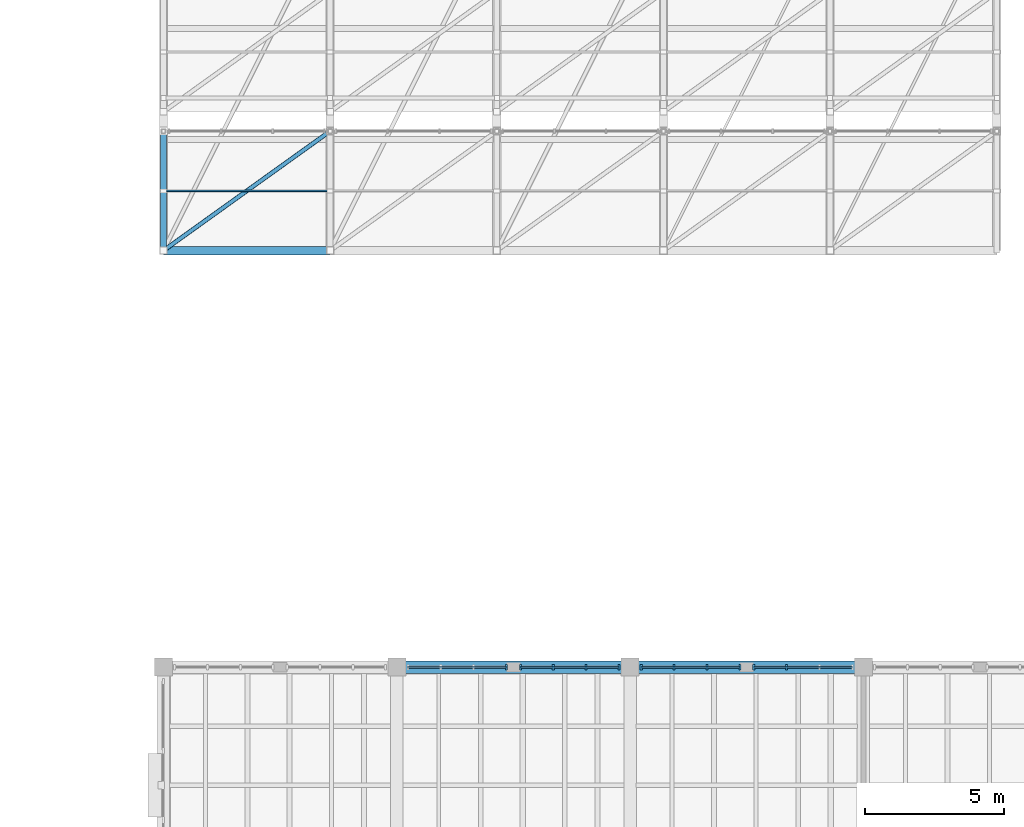
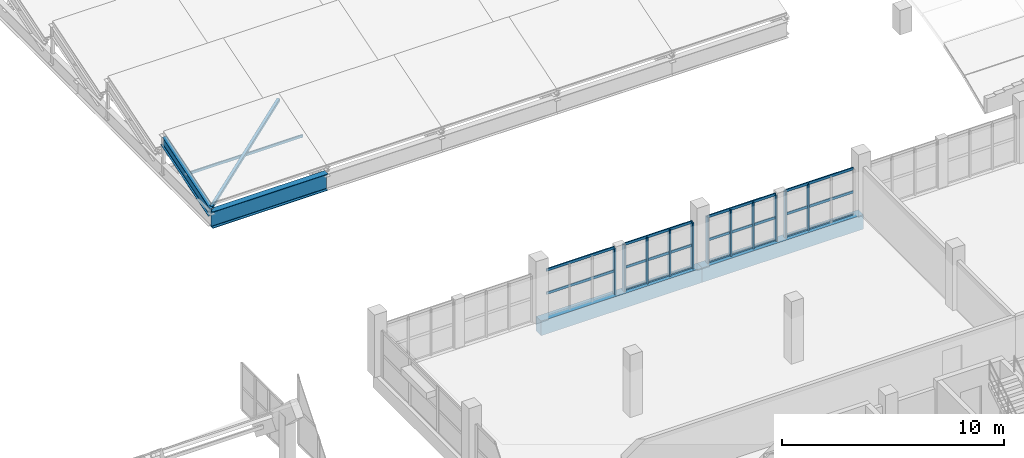
# One storey, part 10 of 48: 24 members, 4 beams, 4 elements without a shape of their own.
"""IFC4 building model written with IfcOpenShell, lengths in metres."""

from ifc_helpers import new_model, si_unit, direction, frame, origin, origin_2d, place, context, subcontext, project, spatial, rectangle, hollow_rectangle, i_section, extrude, material, layer, layer_set, material_profile, profile_set, type_object, element, aggregate, save


model = new_model("IFC4")

# Units and contexts
model_context = context("Model", 3, precision=1e-05, world=origin(), true_north=direction((0.0, 1.0)))
body_context = subcontext(model_context, "Body", "Model", "MODEL_VIEW")
ifc_project = project(units=[si_unit("LENGTHUNIT", "METRE"), si_unit("AREAUNIT", "SQUARE_METRE"), si_unit("VOLUMEUNIT", "CUBIC_METRE"), si_unit("PLANEANGLEUNIT", "RADIAN"), si_unit("MASSUNIT", "GRAM", prefix="KILO")], contexts=[model_context])

# Site, building, storey
site_placement = place(None, origin())
site = spatial("IfcSite", under=ifc_project, at=site_placement, CompositionType="ELEMENT")
building_placement = place(site_placement, origin())
building = spatial("IfcBuilding", under=site, at=building_placement, Name="Trellovar Central Fire Station", CompositionType="ELEMENT")
storey_placement = place(building_placement, frame((0.0, 0.0, 9.300048828125)))
storey = spatial("IfcBuildingStorey", under=building, at=storey_placement, Name="L03", CompositionType="ELEMENT", Elevation=9.300048828125)

# Beams
ifc_material_1 = material(Name="Concrete C40/50", Category="concrete")
ifc_material_profile_1 = material_profile(ifc_material_1, rectangle(XDim=0.449951171875, YDim=0.800048828125, at=origin_2d()), Name="RC450X800")
ifc_profile_set_1 = profile_set([ifc_material_profile_1], Name="Concrete C40/50")
beam_type_1 = type_object("IfcBeamType", Name="BM-G1", PredefinedType="BEAM", material=ifc_profile_set_1)
beam_1_placement = place(storey_placement, frame((113.89990234375, 33.0, -0.400146484375), z_axis=(1.0, 0.0, 0.0), x_axis=(0.0, 1.0, 0.0)))
element("IfcBeam", 1, at=beam_1_placement, inside=storey, type_object=beam_type_1, Name="L03 beam G-1", PredefinedType="BEAM", context=body_context, shape_type="SweptSolid", body=[
    extrude(rectangle(XDim=0.449951171875, YDim=0.800048828125, at=origin_2d()), origin(), (0.0, 0.0, 1.0), 8.400146484375),
])
beam_2_placement = place(storey_placement, frame((122.300048828125, 33.0, -0.400146484375), z_axis=(1.0, 0.0, 0.0), x_axis=(0.0, 1.0, 0.0)))
element("IfcBeam", 2, at=beam_2_placement, inside=storey, type_object=beam_type_1, Name="L03 beam G-1", PredefinedType="BEAM", context=body_context, shape_type="SweptSolid", body=[
    extrude(rectangle(XDim=0.449951171875, YDim=0.800048828125, at=origin_2d()), origin(), (0.0, 0.0, 1.0), 8.39990234375),
])
ifc_material_2 = material(Name="Steel ASTM A992 Grade 50", Category="steel")
ifc_material_profile_2 = material_profile(ifc_material_2, i_section(OverallWidth=0.3046875, OverallDepth=0.911865234375, WebThickness=0.015869140625, FlangeThickness=0.02392578125, FilletRadius=0.024169921875, at=origin_2d()), Name="W36X150")
ifc_profile_set_2 = profile_set([ifc_material_profile_2], Name="Steel ASTM A992 Grade 50")
beam_type_2 = type_object("IfcBeamType", Name="BM-SW1", PredefinedType="BEAM", material=ifc_profile_set_2)
beam_3_placement = place(storey_placement, frame((105.5, 48.0, -0.635986328125), z_axis=(1.0, 0.0, 0.0), x_axis=(0.0, 1.0, 0.0)))
element("IfcBeam", 3, at=beam_3_placement, inside=storey, type_object=beam_type_2, Name="L03 beam SB-1", PredefinedType="BEAM", context=body_context, shape_type="SweptSolid", body=[
    extrude(i_section(OverallWidth=0.3046875, OverallDepth=0.911865234375, WebThickness=0.015869140625, FlangeThickness=0.02392578125, FilletRadius=0.024169921875, at=origin_2d()), origin(), (0.0, 0.0, 1.0), 6.0),
])
ifc_material_3 = material(Name="Steel ASTM A992 Grade 50", Category="steel")
ifc_material_profile_3 = material_profile(ifc_material_3, i_section(OverallWidth=0.209228515625, OverallDepth=0.533447265625, WebThickness=0.01025390625, FlangeThickness=0.015625, FilletRadius=0.013916015625, at=origin_2d()), Name="W21X62")
ifc_profile_set_3 = profile_set([ifc_material_profile_3], Name="Steel ASTM A992 Grade 50")
beam_type_3 = type_object("IfcBeamType", Name="BM-SW7", PredefinedType="BEAM", material=ifc_profile_set_3)
beam_4_placement = place(storey_placement, frame((105.5, 48.0, -0.266845703125), z_axis=(0.0, 0.954079117135, 0.299554733308), x_axis=(-1.0, 0.0, 0.0)))
element("IfcBeam", 4, at=beam_4_placement, inside=storey, type_object=beam_type_3, Name="Sawtooth steel rafter", PredefinedType="BEAM", context=body_context, shape_type="SweptSolid", body=[
    extrude(i_section(OverallWidth=0.209228515625, OverallDepth=0.533447265625, WebThickness=0.01025390625, FlangeThickness=0.015625, FilletRadius=0.013916015625, at=origin_2d()), origin(), (0.0, 0.0, 1.0), 4.507080078125),
])

# Curtain wall, members
ifc_material_4 = material(Name="Thermally broken bronze anodized aluminum", Category="aluminium")
ifc_layer_1 = layer(ifc_material_4, 0.159912109375)
ifc_layer_set_1 = layer_set([ifc_layer_1], Name="Thermally broken bronze anodized aluminum")
curtain_wall_type_1 = type_object("IfcCurtainWallType", Name="CW-09", PredefinedType="NOTDEFINED", material=ifc_layer_set_1)
curtain_wall_1_placement = place(storey_placement, origin())
curtain_wall_1 = element("IfcCurtainWall", 5, at=curtain_wall_1_placement, inside=storey, type_object=curtain_wall_type_1, Name="L03 curtain wall CW-9", PredefinedType="NOTDEFINED")
ifc_material_5 = material(Name="Thermally broken bronze anodized aluminum", Category="aluminium")
ifc_material_profile_4 = material_profile(ifc_material_5, rectangle(XDim=0.074951171875, YDim=0.199951171875, at=origin_2d()), Name="ALU75X200")
ifc_profile_set_4 = profile_set([ifc_material_profile_4], Name="Thermally broken bronze anodized aluminum")
member_type_1 = type_object("IfcMemberType", Name="CWM-1", PredefinedType="MULLION", material=ifc_profile_set_4)
member_1_placement = place(storey_placement, frame((121.89990234375, 33.0, 0.0), z_axis=(0.0, 0.0, 1.0), x_axis=(1.0, 0.0, 0.0)))
member_1 = element("IfcMember", 6, at=member_1_placement, type_object=member_type_1, Name="CW3-L03-0078 mullion 1", PredefinedType="MULLION", context=body_context, shape_type="SweptSolid", body=[
    extrude(rectangle(XDim=0.074951171875, YDim=0.199951171875, at=origin_2d()), origin(), (0.0, 0.0, 1.0), 2.550048828125),
])
member_2_placement = place(storey_placement, frame((120.716796875, 33.0, 0.0), z_axis=(0.0, 0.0, 1.0), x_axis=(1.0, 0.0, 0.0)))
member_2 = element("IfcMember", 7, at=member_2_placement, type_object=member_type_1, Name="CW3-L03-0078 mullion 2", PredefinedType="MULLION", context=body_context, shape_type="SweptSolid", body=[
    extrude(rectangle(XDim=0.074951171875, YDim=0.199951171875, at=origin_2d()), origin(), (0.0, 0.0, 1.0), 2.550048828125),
])
member_3_placement = place(storey_placement, frame((119.533203125, 33.0, 0.0), z_axis=(0.0, 0.0, 1.0), x_axis=(1.0, 0.0, 0.0)))
member_3 = element("IfcMember", 8, at=member_3_placement, type_object=member_type_1, Name="CW3-L03-0078 mullion 3", PredefinedType="MULLION", context=body_context, shape_type="SweptSolid", body=[
    extrude(rectangle(XDim=0.074951171875, YDim=0.199951171875, at=origin_2d()), origin(), (0.0, 0.0, 1.0), 2.550048828125),
])
member_4_placement = place(storey_placement, frame((118.35009765625, 33.0, 0.0), z_axis=(0.0, 0.0, 1.0), x_axis=(1.0, 0.0, 0.0)))
member_4 = element("IfcMember", 9, at=member_4_placement, type_object=member_type_1, Name="CW3-L03-0078 mullion 4", PredefinedType="MULLION", context=body_context, shape_type="SweptSolid", body=[
    extrude(rectangle(XDim=0.074951171875, YDim=0.199951171875, at=origin_2d()), origin(), (0.0, 0.0, 1.0), 2.550048828125),
])

# Curtain wall, member
ifc_material_6 = material(Name="Thermally broken bronze anodized aluminum", Category="aluminium")
ifc_layer_2 = layer(ifc_material_6, 0.159912109375)
ifc_layer_set_2 = layer_set([ifc_layer_2], Name="Thermally broken bronze anodized aluminum")
curtain_wall_type_2 = type_object("IfcCurtainWallType", Name="CW-10", PredefinedType="NOTDEFINED", material=ifc_layer_set_2)
curtain_wall_2_placement = place(storey_placement, origin())
curtain_wall_2 = element("IfcCurtainWall", 10, at=curtain_wall_2_placement, inside=storey, type_object=curtain_wall_type_2, Name="L03 curtain wall CW-10", PredefinedType="NOTDEFINED")
member_5_placement = place(storey_placement, frame((117.85009765625, 33.0, 0.0), z_axis=(0.0, 0.0, 1.0), x_axis=(1.0, 0.0, 0.0)))
member_5 = element("IfcMember", 11, at=member_5_placement, type_object=member_type_1, Name="CW3-L03-0079 mullion 1", PredefinedType="MULLION", context=body_context, shape_type="SweptSolid", body=[
    extrude(rectangle(XDim=0.074951171875, YDim=0.199951171875, at=origin_2d()), origin(), (0.0, 0.0, 1.0), 2.550048828125),
])

# Curtain wall, members
curtain_wall_3_placement = place(storey_placement, origin())
curtain_wall_3 = element("IfcCurtainWall", 12, at=curtain_wall_3_placement, inside=storey, type_object=curtain_wall_type_1, Name="L03 curtain wall CW-9", PredefinedType="NOTDEFINED")
member_6_placement = place(storey_placement, frame((127.933349609375, 33.0, 0.0), z_axis=(0.0, 0.0, 1.0), x_axis=(1.0, 0.0, 0.0)))
member_6 = element("IfcMember", 13, at=member_6_placement, type_object=member_type_1, Name="CW3-L03-0080 mullion 3", PredefinedType="MULLION", context=body_context, shape_type="SweptSolid", body=[
    extrude(rectangle(XDim=0.074951171875, YDim=0.199951171875, at=origin_2d()), origin(), (0.0, 0.0, 1.0), 2.550048828125),
])
member_7_placement = place(storey_placement, frame((126.75, 33.0, 0.0), z_axis=(0.0, 0.0, 1.0), x_axis=(1.0, 0.0, 0.0)))
member_7 = element("IfcMember", 14, at=member_7_placement, type_object=member_type_1, Name="CW3-L03-0080 mullion 4", PredefinedType="MULLION", context=body_context, shape_type="SweptSolid", body=[
    extrude(rectangle(XDim=0.074951171875, YDim=0.199951171875, at=origin_2d()), origin(), (0.0, 0.0, 1.0), 2.550048828125),
])

curtain_wall_4_placement = place(storey_placement, origin())
curtain_wall_4 = element("IfcCurtainWall", 15, at=curtain_wall_4_placement, inside=storey, type_object=curtain_wall_type_2, Name="L03 curtain wall CW-10", PredefinedType="NOTDEFINED")
member_8_placement = place(storey_placement, frame((126.25, 33.0, 0.0), z_axis=(0.0, 0.0, 1.0), x_axis=(1.0, 0.0, 0.0)))
member_8 = element("IfcMember", 16, at=member_8_placement, type_object=member_type_1, Name="CW3-L03-0081 mullion 1", PredefinedType="MULLION", context=body_context, shape_type="SweptSolid", body=[
    extrude(rectangle(XDim=0.074951171875, YDim=0.199951171875, at=origin_2d()), origin(), (0.0, 0.0, 1.0), 2.550048828125),
])
member_9_placement = place(storey_placement, frame((125.066650390625, 33.0, 0.0), z_axis=(0.0, 0.0, 1.0), x_axis=(1.0, 0.0, 0.0)))
member_9 = element("IfcMember", 17, at=member_9_placement, type_object=member_type_1, Name="CW3-L03-0081 mullion 2", PredefinedType="MULLION", context=body_context, shape_type="SweptSolid", body=[
    extrude(rectangle(XDim=0.074951171875, YDim=0.199951171875, at=origin_2d()), origin(), (0.0, 0.0, 1.0), 2.550048828125),
])
member_10_placement = place(storey_placement, frame((123.88330078125, 33.0, 0.0), z_axis=(0.0, 0.0, 1.0), x_axis=(1.0, 0.0, 0.0)))
member_10 = element("IfcMember", 18, at=member_10_placement, type_object=member_type_1, Name="CW3-L03-0081 mullion 3", PredefinedType="MULLION", context=body_context, shape_type="SweptSolid", body=[
    extrude(rectangle(XDim=0.074951171875, YDim=0.199951171875, at=origin_2d()), origin(), (0.0, 0.0, 1.0), 2.550048828125),
])
member_11_placement = place(storey_placement, frame((122.699951171875, 33.0, 0.0), z_axis=(0.0, 0.0, 1.0), x_axis=(1.0, 0.0, 0.0)))
member_11 = element("IfcMember", 19, at=member_11_placement, type_object=member_type_1, Name="CW3-L03-0081 mullion 4", PredefinedType="MULLION", context=body_context, shape_type="SweptSolid", body=[
    extrude(rectangle(XDim=0.074951171875, YDim=0.199951171875, at=origin_2d()), origin(), (0.0, 0.0, 1.0), 2.550048828125),
])

# Member
ifc_material_7 = material(Name="Thermally broken bronze anodized aluminum", Category="aluminium")
ifc_material_profile_5 = material_profile(ifc_material_7, rectangle(XDim=0.06005859375, YDim=0.139892578125, at=origin_2d()), Name="ALU60X140")
ifc_profile_set_5 = profile_set([ifc_material_profile_5], Name="Thermally broken bronze anodized aluminum")
member_type_2 = type_object("IfcMemberType", Name="CWT-1", PredefinedType="USERDEFINED", material=ifc_profile_set_5)
member_12_placement = place(storey_placement, frame((121.89990234375, 33.0, 0.0), z_axis=(-1.0, 0.0, 0.0), x_axis=(0.0, -1.0, 0.0)))
member_12 = element("IfcMember", 20, at=member_12_placement, type_object=member_type_2, Name="CW3-L03-0078 transom 1", ObjectType="TRANSOM", PredefinedType="USERDEFINED", context=body_context, shape_type="SweptSolid", body=[
    extrude(rectangle(XDim=0.06005859375, YDim=0.139892578125, at=origin_2d()), origin(), (0.0, 0.0, 1.0), 3.5498046875),
])

member_13_placement = place(storey_placement, frame((121.89990234375, 33.0, 1.27490234375), z_axis=(-1.0, 0.0, 0.0), x_axis=(0.0, -1.0, 0.0)))
member_13 = element("IfcMember", 21, at=member_13_placement, type_object=member_type_2, Name="CW3-L03-0078 transom 2", ObjectType="TRANSOM", PredefinedType="USERDEFINED", context=body_context, shape_type="SweptSolid", body=[
    extrude(rectangle(XDim=0.06005859375, YDim=0.139892578125, at=origin_2d()), origin(), (0.0, 0.0, 1.0), 3.5498046875),
])

member_14_placement = place(storey_placement, frame((121.89990234375, 33.0, 2.550048828125), z_axis=(-1.0, 0.0, 0.0), x_axis=(0.0, -1.0, 0.0)))
member_14 = element("IfcMember", 22, at=member_14_placement, type_object=member_type_2, Name="CW3-L03-0078 transom 3", ObjectType="TRANSOM", PredefinedType="USERDEFINED", context=body_context, shape_type="SweptSolid", body=[
    extrude(rectangle(XDim=0.06005859375, YDim=0.139892578125, at=origin_2d()), origin(), (0.0, 0.0, 1.0), 3.5498046875),
])

aggregate(curtain_wall_1, [member_1, member_2, member_3, member_4, member_12, member_13, member_14])

member_15_placement = place(storey_placement, frame((117.85009765625, 33.0, 1.27490234375), z_axis=(-1.0, 0.0, 0.0), x_axis=(0.0, -1.0, 0.0)))
member_15 = element("IfcMember", 23, at=member_15_placement, type_object=member_type_2, Name="CW3-L03-0079 transom 2", ObjectType="TRANSOM", PredefinedType="USERDEFINED", context=body_context, shape_type="SweptSolid", body=[
    extrude(rectangle(XDim=0.06005859375, YDim=0.139892578125, at=origin_2d()), origin(), (0.0, 0.0, 1.0), 3.550048828125),
])

member_16_placement = place(storey_placement, frame((117.85009765625, 33.0, 2.550048828125), z_axis=(-1.0, 0.0, 0.0), x_axis=(0.0, -1.0, 0.0)))
member_16 = element("IfcMember", 24, at=member_16_placement, type_object=member_type_2, Name="CW3-L03-0079 transom 3", ObjectType="TRANSOM", PredefinedType="USERDEFINED", context=body_context, shape_type="SweptSolid", body=[
    extrude(rectangle(XDim=0.06005859375, YDim=0.139892578125, at=origin_2d()), origin(), (0.0, 0.0, 1.0), 3.550048828125),
])

aggregate(curtain_wall_2, [member_5, member_15, member_16])

member_17_placement = place(storey_placement, frame((130.300048828125, 33.0, 0.0), z_axis=(-1.0, 0.0, 0.0), x_axis=(0.0, -1.0, 0.0)))
member_17 = element("IfcMember", 25, at=member_17_placement, type_object=member_type_2, Name="CW3-L03-0080 transom 1", ObjectType="TRANSOM", PredefinedType="USERDEFINED", context=body_context, shape_type="SweptSolid", body=[
    extrude(rectangle(XDim=0.06005859375, YDim=0.139892578125, at=origin_2d()), origin(), (0.0, 0.0, 1.0), 3.550048828125),
])

member_18_placement = place(storey_placement, frame((130.300048828125, 33.0, 1.27490234375), z_axis=(-1.0, 0.0, 0.0), x_axis=(0.0, -1.0, 0.0)))
member_18 = element("IfcMember", 26, at=member_18_placement, type_object=member_type_2, Name="CW3-L03-0080 transom 2", ObjectType="TRANSOM", PredefinedType="USERDEFINED", context=body_context, shape_type="SweptSolid", body=[
    extrude(rectangle(XDim=0.06005859375, YDim=0.139892578125, at=origin_2d()), origin(), (0.0, 0.0, 1.0), 3.550048828125),
])

member_19_placement = place(storey_placement, frame((130.300048828125, 33.0, 2.550048828125), z_axis=(-1.0, 0.0, 0.0), x_axis=(0.0, -1.0, 0.0)))
member_19 = element("IfcMember", 27, at=member_19_placement, type_object=member_type_2, Name="CW3-L03-0080 transom 3", ObjectType="TRANSOM", PredefinedType="USERDEFINED", context=body_context, shape_type="SweptSolid", body=[
    extrude(rectangle(XDim=0.06005859375, YDim=0.139892578125, at=origin_2d()), origin(), (0.0, 0.0, 1.0), 3.550048828125),
])

aggregate(curtain_wall_3, [member_6, member_7, member_17, member_18, member_19])

member_20_placement = place(storey_placement, frame((126.25, 33.0, 0.0), z_axis=(-1.0, 0.0, 0.0), x_axis=(0.0, -1.0, 0.0)))
member_20 = element("IfcMember", 28, at=member_20_placement, type_object=member_type_2, Name="CW3-L03-0081 transom 1", ObjectType="TRANSOM", PredefinedType="USERDEFINED", context=body_context, shape_type="SweptSolid", body=[
    extrude(rectangle(XDim=0.06005859375, YDim=0.139892578125, at=origin_2d()), origin(), (0.0, 0.0, 1.0), 3.550048828125),
])

member_21_placement = place(storey_placement, frame((126.25, 33.0, 1.27490234375), z_axis=(-1.0, 0.0, 0.0), x_axis=(0.0, -1.0, 0.0)))
member_21 = element("IfcMember", 29, at=member_21_placement, type_object=member_type_2, Name="CW3-L03-0081 transom 2", ObjectType="TRANSOM", PredefinedType="USERDEFINED", context=body_context, shape_type="SweptSolid", body=[
    extrude(rectangle(XDim=0.06005859375, YDim=0.139892578125, at=origin_2d()), origin(), (0.0, 0.0, 1.0), 3.550048828125),
])

member_22_placement = place(storey_placement, frame((126.25, 33.0, 2.550048828125), z_axis=(-1.0, 0.0, 0.0), x_axis=(0.0, -1.0, 0.0)))
member_22 = element("IfcMember", 30, at=member_22_placement, type_object=member_type_2, Name="CW3-L03-0081 transom 3", ObjectType="TRANSOM", PredefinedType="USERDEFINED", context=body_context, shape_type="SweptSolid", body=[
    extrude(rectangle(XDim=0.06005859375, YDim=0.139892578125, at=origin_2d()), origin(), (0.0, 0.0, 1.0), 3.550048828125),
])

aggregate(curtain_wall_4, [member_8, member_9, member_10, member_11, member_20, member_21, member_22])

# Members
ifc_material_8 = material(Name="Steel ASTM A500 Grade C", Category="steel")
ifc_material_profile_6 = material_profile(ifc_material_8, hollow_rectangle(XDim=0.15234375, YDim=0.15234375, WallThickness=0.005859375, InnerFilletRadius=0.005859375, OuterFilletRadius=0.01171875, at=origin_2d()), Name="HSS6X6X1/4")
ifc_profile_set_6 = profile_set([ifc_material_profile_6], Name="Steel ASTM A500 Grade C")
member_type_3 = type_object("IfcMemberType", Name="MEM-BR1", PredefinedType="BRACE", material=ifc_profile_set_6)
member_23_placement = place(storey_placement, frame((105.5, 48.0, -0.02001953125), z_axis=(0.801405151762, 0.574346880614, 0.166959406617), x_axis=(-0.582523311563, 0.812813995626, 0.0)))
element("IfcMember", 31, at=member_23_placement, inside=storey, type_object=member_type_3, Name="Sawtooth roof plane diagonal brace", PredefinedType="BRACE", context=body_context, shape_type="SweptSolid", body=[
    extrude(hollow_rectangle(XDim=0.15234375, YDim=0.15234375, WallThickness=0.005859375, InnerFilletRadius=0.005859375, OuterFilletRadius=0.01171875, at=origin_2d()), origin(), (0.0, 0.0, 1.0), 7.48681640625),
])
ifc_material_9 = material(Name="Steel ASTM A500 Grade C", Category="steel")
ifc_material_profile_7 = material_profile(ifc_material_9, hollow_rectangle(XDim=0.076171875, YDim=0.15234375, WallThickness=0.005859375, InnerFilletRadius=0.005859375, OuterFilletRadius=0.01171875, at=origin_2d()), Name="HSS6X3X1/4")
ifc_profile_set_7 = profile_set([ifc_material_profile_7], Name="Steel ASTM A500 Grade C")
member_type_4 = type_object("IfcMemberType", Name="MEM-PU2", PredefinedType="PURLIN", material=ifc_profile_set_7)
member_24_placement = place(storey_placement, frame((105.5, 50.14990234375, 0.530029296875), z_axis=(1.0, 0.0, 0.0), x_axis=(0.0, 1.0, 0.0)))
element("IfcMember", 32, at=member_24_placement, inside=storey, type_object=member_type_4, Name="Sawtooth steel purlin", PredefinedType="PURLIN", context=body_context, shape_type="SweptSolid", body=[
    extrude(hollow_rectangle(XDim=0.076171875, YDim=0.15234375, WallThickness=0.005859375, InnerFilletRadius=0.005859375, OuterFilletRadius=0.01171875, at=origin_2d()), origin(), (0.0, 0.0, 1.0), 6.0),
])

save(model, "model.ifc")
